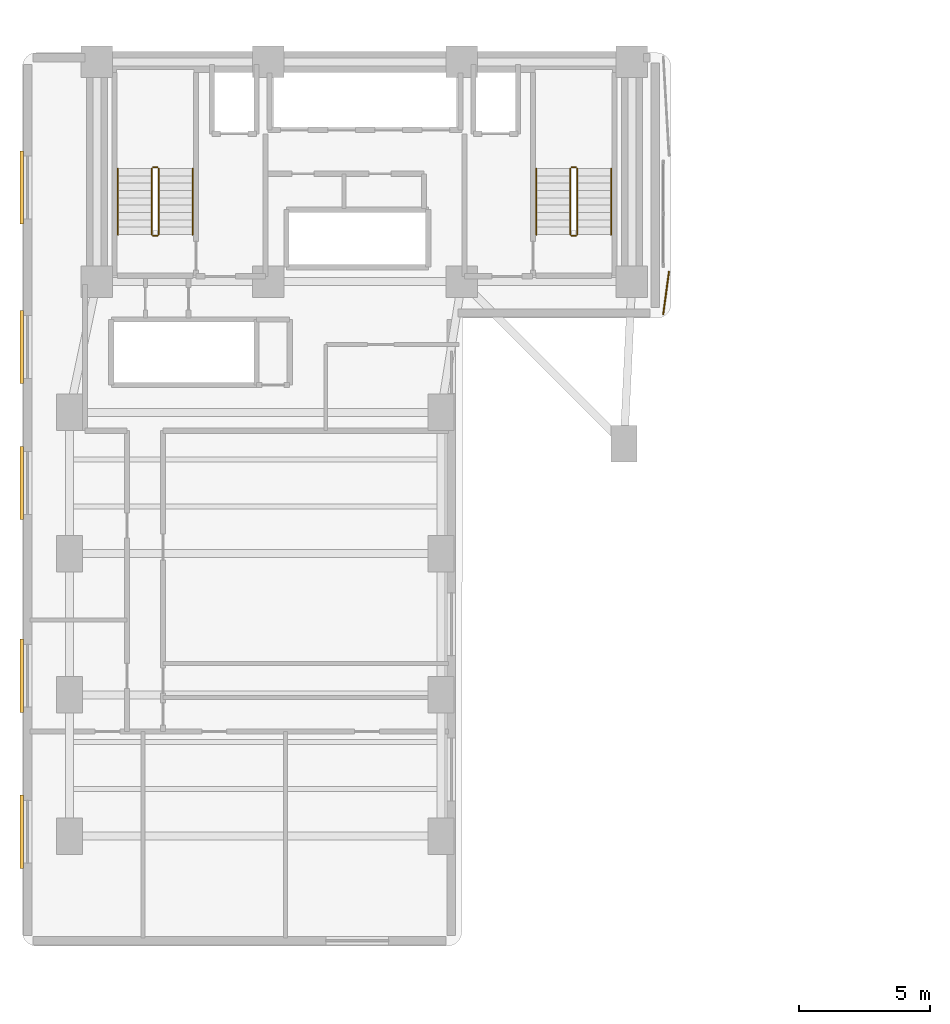
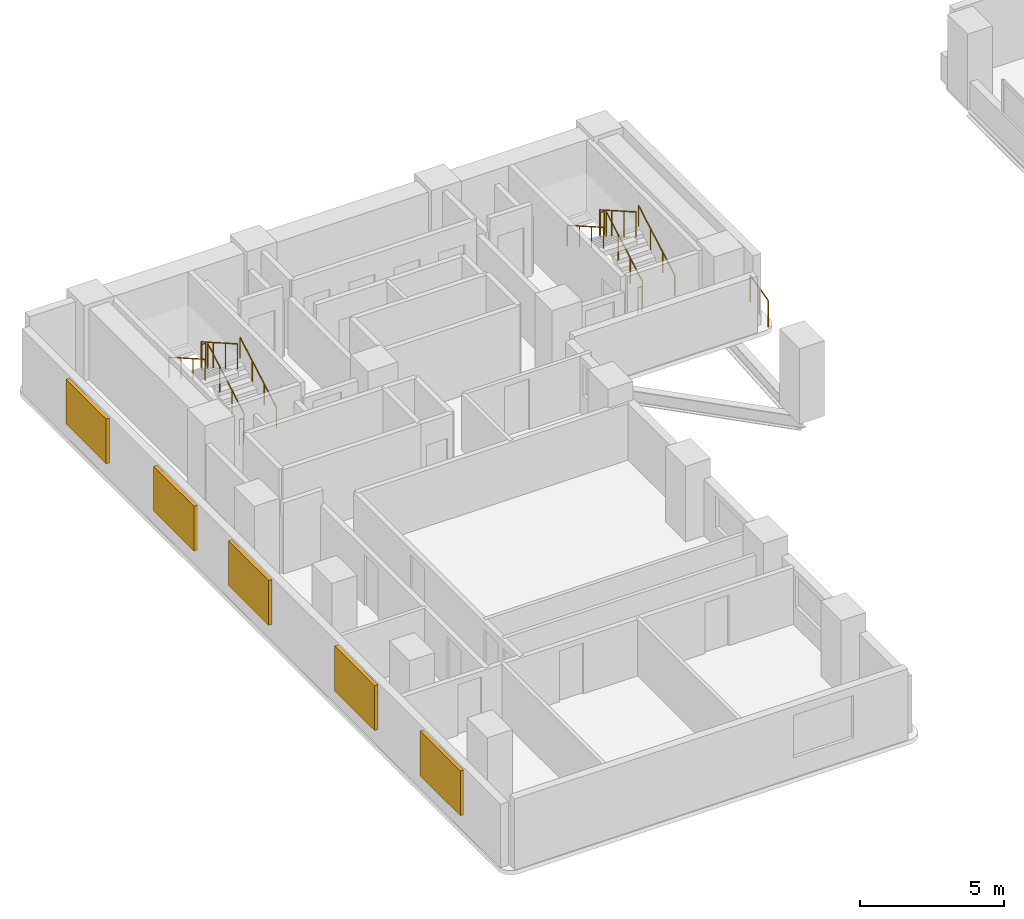
# One storey, part 12 of 14: 13 railings, 5 shading devices.
"""IFC4 building model written with IfcOpenShell, lengths in metres."""

from ifc_helpers import new_model, si_unit, direction, frame, origin, origin_2d, place, context, subcontext, project, spatial, rectangle, circle, extrude, material, layer, layer_set, type_object, element, save


model = new_model("IFC4")

# Units and contexts
model_context = context("Model", 3, precision=1e-05, world=origin(), true_north=direction((0.0, 1.0)))
body_context = subcontext(model_context, "Body", "Model", "MODEL_VIEW")
ifc_project = project(units=[si_unit("LENGTHUNIT", "METRE"), si_unit("AREAUNIT", "SQUARE_METRE"), si_unit("VOLUMEUNIT", "CUBIC_METRE"), si_unit("PLANEANGLEUNIT", "RADIAN"), si_unit("MASSUNIT", "GRAM", prefix="KILO")], contexts=[model_context])

# Site, building, storey
site_placement = place(None, origin())
site = spatial("IfcSite", under=ifc_project, at=site_placement, CompositionType="ELEMENT")
building_placement = place(site_placement, origin())
building = spatial("IfcBuilding", under=site, at=building_placement, Name="Kuzgunbayir Cultural Tower", CompositionType="ELEMENT")
storey_placement = place(building_placement, frame((0.0, 0.0, 33.39990234375)))
storey = spatial("IfcBuildingStorey", under=building, at=storey_placement, Name="L08", CompositionType="ELEMENT", Elevation=33.39990234375)

# Railings
ifc_material_1 = material(Name="Laminated Glass and Stainless Steel", Category="steel")
ifc_layer_1 = layer(ifc_material_1, 0.080078125)
ifc_layer_set_1 = layer_set([ifc_layer_1], Name="Laminated Glass and Stainless Steel")
railing_type_1 = type_object("IfcRailingType", Name="RLG-BAL-115", PredefinedType="BALUSTRADE", material=ifc_layer_set_1)
railing_1_placement = place(storey_placement, frame((28.320068359375, 34.179931640625, 0.0)))
element("IfcRailing", 1, at=railing_1_placement, inside=storey, type_object=railing_type_1, Name="L08 Perimeter Edge Guard 2", PredefinedType="BALUSTRADE", context=body_context, shape_type="SweptSolid", body=[
    extrude(circle(Radius=0.02392578125, at=origin_2d()), frame((0.0, 0.0, 1.1259765625), z_axis=(-0.133748471405, -0.991015310879, 0.0), x_axis=(0.991015310879, -0.133748471405, 0.0)), (0.0, 0.0, 1.0), 1.644775390625),
    extrude(circle(Radius=0.02099609375, at=origin_2d()), origin(), (0.0, 0.0, 1.0), 1.101806640625),
    extrude(circle(Radius=0.02099609375, at=origin_2d()), frame((-0.10986328125, -0.81494140625, 0.0)), (0.0, 0.0, 1.0), 1.101806640625),
    extrude(circle(Radius=0.02099609375, at=origin_2d()), frame((-0.219970703125, -1.6298828125, 0.0)), (0.0, 0.0, 1.0), 1.101806640625),
])
ifc_material_2 = material(Name="Brushed Stainless Steel", Category="steel")
ifc_layer_2 = layer(ifc_material_2, 0.050048828125)
ifc_layer_set_2 = layer_set([ifc_layer_2], Name="Brushed Stainless Steel")
railing_type_2 = type_object("IfcRailingType", Name="RLG-STAIR-HANDRAIL", PredefinedType="HANDRAIL", material=ifc_layer_set_2)
railing_2_placement = place(storey_placement, frame((10.110107421875, 35.60009765625, 0.16015625)))
element("IfcRailing", 2, at=railing_2_placement, inside=storey, type_object=railing_type_2, Name="L08 ST-1 stair handrail 1", PredefinedType="HANDRAIL", context=body_context, shape_type="SweptSolid", body=[
    extrude(circle(Radius=0.02392578125, at=origin_2d()), frame((0.0, 0.0, 0.8759765625), z_axis=(0.0, 0.868253494771, 0.496120820787), x_axis=(-1.0, 0.0, 0.0)), (0.0, 0.0, 1.0), 2.90234375),
    extrude(circle(Radius=0.02099609375, at=origin_2d()), origin(), (0.0, 0.0, 1.0), 0.851806640625),
    extrude(circle(Radius=0.02099609375, at=origin_2d()), frame((0.0, 0.840087890625, 0.47998046875)), (0.0, 0.0, 1.0), 0.851806640625),
    extrude(circle(Radius=0.02099609375, at=origin_2d()), frame((0.0, 1.679931640625, 0.9599609375)), (0.0, 0.0, 1.0), 0.851806640625),
    extrude(circle(Radius=0.02099609375, at=origin_2d()), frame((0.0, 2.52001953125, 1.43994140625)), (0.0, 0.0, 1.0), 0.851806640625),
])
railing_3_placement = place(storey_placement, frame((7.25, 38.1201171875, 1.760009765625)))
element("IfcRailing", 3, at=railing_3_placement, inside=storey, type_object=railing_type_2, Name="L08 ST-1 stair handrail 2", PredefinedType="HANDRAIL", context=body_context, shape_type="SweptSolid", body=[
    extrude(circle(Radius=0.02392578125, at=origin_2d()), frame((0.0, 0.0, 0.8759765625), z_axis=(0.0, -0.868217259934, 0.496184229447), x_axis=(1.0, 0.0, 0.0)), (0.0, 0.0, 1.0), 2.902587890625),
    extrude(circle(Radius=0.02099609375, at=origin_2d()), origin(), (0.0, 0.0, 1.0), 0.851806640625),
    extrude(circle(Radius=0.02099609375, at=origin_2d()), frame((0.0, -0.840087890625, 0.47998046875)), (0.0, 0.0, 1.0), 0.851806640625),
    extrude(circle(Radius=0.02099609375, at=origin_2d()), frame((0.0, -1.679931640625, 0.960205078125)), (0.0, 0.0, 1.0), 0.851806640625),
    extrude(circle(Radius=0.02099609375, at=origin_2d()), frame((0.0, -2.52001953125, 1.440185546875)), (0.0, 0.0, 1.0), 0.851806640625),
])
railing_4_placement = place(storey_placement, frame((26.110107421875, 35.60009765625, 0.16015625)))
element("IfcRailing", 4, at=railing_4_placement, inside=storey, type_object=railing_type_2, Name="L08 ST-2 stair handrail 1", PredefinedType="HANDRAIL", context=body_context, shape_type="SweptSolid", body=[
    extrude(circle(Radius=0.02392578125, at=origin_2d()), frame((0.0, 0.0, 0.8759765625), z_axis=(0.0, 0.868253494771, 0.496120820787), x_axis=(-1.0, 0.0, 0.0)), (0.0, 0.0, 1.0), 2.90234375),
    extrude(circle(Radius=0.02099609375, at=origin_2d()), origin(), (0.0, 0.0, 1.0), 0.851806640625),
    extrude(circle(Radius=0.02099609375, at=origin_2d()), frame((0.0, 0.840087890625, 0.47998046875)), (0.0, 0.0, 1.0), 0.851806640625),
    extrude(circle(Radius=0.02099609375, at=origin_2d()), frame((0.0, 1.679931640625, 0.9599609375)), (0.0, 0.0, 1.0), 0.851806640625),
    extrude(circle(Radius=0.02099609375, at=origin_2d()), frame((0.0, 2.52001953125, 1.43994140625)), (0.0, 0.0, 1.0), 0.851806640625),
])
railing_5_placement = place(storey_placement, frame((23.25, 38.1201171875, 1.760009765625)))
element("IfcRailing", 5, at=railing_5_placement, inside=storey, type_object=railing_type_2, Name="L08 ST-2 stair handrail 2", PredefinedType="HANDRAIL", context=body_context, shape_type="SweptSolid", body=[
    extrude(circle(Radius=0.02392578125, at=origin_2d()), frame((0.0, 0.0, 0.8759765625), z_axis=(0.0, -0.868217259934, 0.496184229447), x_axis=(1.0, 0.0, 0.0)), (0.0, 0.0, 1.0), 2.902587890625),
    extrude(circle(Radius=0.02099609375, at=origin_2d()), origin(), (0.0, 0.0, 1.0), 0.851806640625),
    extrude(circle(Radius=0.02099609375, at=origin_2d()), frame((0.0, -0.840087890625, 0.47998046875)), (0.0, 0.0, 1.0), 0.851806640625),
    extrude(circle(Radius=0.02099609375, at=origin_2d()), frame((0.0, -1.679931640625, 0.960205078125)), (0.0, 0.0, 1.0), 0.851806640625),
    extrude(circle(Radius=0.02099609375, at=origin_2d()), frame((0.0, -2.52001953125, 1.440185546875)), (0.0, 0.0, 1.0), 0.851806640625),
])
ifc_material_3 = material(Name="Painted Steel Balustrade", Category="steel")
ifc_layer_3 = layer(ifc_material_3, 0.06005859375)
ifc_layer_set_3 = layer_set([ifc_layer_3], Name="Painted Steel Balustrade")
railing_type_3 = type_object("IfcRailingType", Name="RLG-WELL-GUARD", PredefinedType="GUARDRAIL", material=ifc_layer_set_3)
railing_6_placement = place(storey_placement, frame((8.81005859375, 35.60009765625, 0.16015625)))
element("IfcRailing", 6, at=railing_6_placement, inside=storey, type_object=railing_type_3, Name="L08 ST-1 stair guard 1", PredefinedType="GUARDRAIL", context=body_context, shape_type="SweptSolid", body=[
    extrude(circle(Radius=0.02392578125, at=origin_2d()), frame((0.0, 0.0, 1.076171875), z_axis=(0.0, 0.868253494771, 0.496120820787), x_axis=(-1.0, 0.0, 0.0)), (0.0, 0.0, 1.0), 2.90234375),
    extrude(circle(Radius=0.02099609375, at=origin_2d()), origin(), (0.0, 0.0, 1.0), 1.052001953125),
    extrude(circle(Radius=0.02099609375, at=origin_2d()), frame((0.0, 0.840087890625, 0.47998046875)), (0.0, 0.0, 1.0), 1.052001953125),
    extrude(circle(Radius=0.02099609375, at=origin_2d()), frame((0.0, 1.679931640625, 0.9599609375)), (0.0, 0.0, 1.0), 1.052001953125),
    extrude(circle(Radius=0.02099609375, at=origin_2d()), frame((0.0, 2.52001953125, 1.43994140625)), (0.0, 0.0, 1.0), 1.052001953125),
])
railing_7_placement = place(storey_placement, frame((8.760009765625, 38.169921875, 1.60009765625)))
element("IfcRailing", 7, at=railing_7_placement, inside=storey, type_object=railing_type_3, Name="L08 ST-1 stair guard 2", PredefinedType="GUARDRAIL", context=body_context, shape_type="SweptSolid", body=[
    extrude(circle(Radius=0.02392578125, at=origin_2d()), frame((0.0, 0.0, 1.076171875), z_axis=(-1.0, 0.0, 0.0), x_axis=(0.0, -1.0, 0.0)), (0.0, 0.0, 1.0), 0.159912109375),
    extrude(circle(Radius=0.02099609375, at=origin_2d()), origin(), (0.0, 0.0, 1.0), 1.052001953125),
    extrude(circle(Radius=0.02099609375, at=origin_2d()), frame((-0.159912109375, 0.0, 0.0)), (0.0, 0.0, 1.0), 1.052001953125),
])
railing_8_placement = place(storey_placement, frame((8.550048828125, 38.1201171875, 1.760009765625)))
element("IfcRailing", 8, at=railing_8_placement, inside=storey, type_object=railing_type_3, Name="L08 ST-1 stair guard 3", PredefinedType="GUARDRAIL", context=body_context, shape_type="SweptSolid", body=[
    extrude(circle(Radius=0.02392578125, at=origin_2d()), frame((0.0, 0.0, 1.076171875), z_axis=(0.0, -0.868217259934, 0.496184229447), x_axis=(1.0, 0.0, 0.0)), (0.0, 0.0, 1.0), 2.902587890625),
    extrude(circle(Radius=0.02099609375, at=origin_2d()), origin(), (0.0, 0.0, 1.0), 1.052001953125),
    extrude(circle(Radius=0.02099609375, at=origin_2d()), frame((0.0, -0.840087890625, 0.47998046875)), (0.0, 0.0, 1.0), 1.052001953125),
    extrude(circle(Radius=0.02099609375, at=origin_2d()), frame((0.0, -1.679931640625, 0.960205078125)), (0.0, 0.0, 1.0), 1.052001953125),
    extrude(circle(Radius=0.02099609375, at=origin_2d()), frame((0.0, -2.52001953125, 1.440185546875)), (0.0, 0.0, 1.0), 1.052001953125),
])
railing_9_placement = place(storey_placement, frame((8.760009765625, 35.550048828125, 0.0)))
element("IfcRailing", 9, at=railing_9_placement, inside=storey, type_object=railing_type_3, Name="L08 ST-1 stair guard 4", PredefinedType="GUARDRAIL", context=body_context, shape_type="SweptSolid", body=[
    extrude(circle(Radius=0.02392578125, at=origin_2d()), frame((0.0, 0.0, 1.076171875), z_axis=(-1.0, 0.0, 0.0), x_axis=(0.0, -1.0, 0.0)), (0.0, 0.0, 1.0), 0.159912109375),
    extrude(circle(Radius=0.02099609375, at=origin_2d()), origin(), (0.0, 0.0, 1.0), 1.052001953125),
    extrude(circle(Radius=0.02099609375, at=origin_2d()), frame((-0.159912109375, 0.0, 0.0)), (0.0, 0.0, 1.0), 1.052001953125),
])
railing_10_placement = place(storey_placement, frame((24.81005859375, 35.60009765625, 0.16015625)))
element("IfcRailing", 10, at=railing_10_placement, inside=storey, type_object=railing_type_3, Name="L08 ST-2 stair guard 1", PredefinedType="GUARDRAIL", context=body_context, shape_type="SweptSolid", body=[
    extrude(circle(Radius=0.02392578125, at=origin_2d()), frame((0.0, 0.0, 1.076171875), z_axis=(0.0, 0.868253494771, 0.496120820787), x_axis=(-1.0, 0.0, 0.0)), (0.0, 0.0, 1.0), 2.90234375),
    extrude(circle(Radius=0.02099609375, at=origin_2d()), origin(), (0.0, 0.0, 1.0), 1.052001953125),
    extrude(circle(Radius=0.02099609375, at=origin_2d()), frame((0.0, 0.840087890625, 0.47998046875)), (0.0, 0.0, 1.0), 1.052001953125),
    extrude(circle(Radius=0.02099609375, at=origin_2d()), frame((0.0, 1.679931640625, 0.9599609375)), (0.0, 0.0, 1.0), 1.052001953125),
    extrude(circle(Radius=0.02099609375, at=origin_2d()), frame((0.0, 2.52001953125, 1.43994140625)), (0.0, 0.0, 1.0), 1.052001953125),
])
railing_11_placement = place(storey_placement, frame((24.760009765625, 38.169921875, 1.60009765625)))
element("IfcRailing", 11, at=railing_11_placement, inside=storey, type_object=railing_type_3, Name="L08 ST-2 stair guard 2", PredefinedType="GUARDRAIL", context=body_context, shape_type="SweptSolid", body=[
    extrude(circle(Radius=0.02392578125, at=origin_2d()), frame((0.0, 0.0, 1.076171875), z_axis=(-1.0, 0.0, 0.0), x_axis=(0.0, -1.0, 0.0)), (0.0, 0.0, 1.0), 0.159912109375),
    extrude(circle(Radius=0.02099609375, at=origin_2d()), origin(), (0.0, 0.0, 1.0), 1.052001953125),
    extrude(circle(Radius=0.02099609375, at=origin_2d()), frame((-0.159912109375, 0.0, 0.0)), (0.0, 0.0, 1.0), 1.052001953125),
])
railing_12_placement = place(storey_placement, frame((24.550048828125, 38.1201171875, 1.760009765625)))
element("IfcRailing", 12, at=railing_12_placement, inside=storey, type_object=railing_type_3, Name="L08 ST-2 stair guard 3", PredefinedType="GUARDRAIL", context=body_context, shape_type="SweptSolid", body=[
    extrude(circle(Radius=0.02392578125, at=origin_2d()), frame((0.0, 0.0, 1.076171875), z_axis=(0.0, -0.868217259934, 0.496184229447), x_axis=(1.0, 0.0, 0.0)), (0.0, 0.0, 1.0), 2.902587890625),
    extrude(circle(Radius=0.02099609375, at=origin_2d()), origin(), (0.0, 0.0, 1.0), 1.052001953125),
    extrude(circle(Radius=0.02099609375, at=origin_2d()), frame((0.0, -0.840087890625, 0.47998046875)), (0.0, 0.0, 1.0), 1.052001953125),
    extrude(circle(Radius=0.02099609375, at=origin_2d()), frame((0.0, -1.679931640625, 0.960205078125)), (0.0, 0.0, 1.0), 1.052001953125),
    extrude(circle(Radius=0.02099609375, at=origin_2d()), frame((0.0, -2.52001953125, 1.440185546875)), (0.0, 0.0, 1.0), 1.052001953125),
])
railing_13_placement = place(storey_placement, frame((24.760009765625, 35.550048828125, 0.0)))
element("IfcRailing", 13, at=railing_13_placement, inside=storey, type_object=railing_type_3, Name="L08 ST-2 stair guard 4", PredefinedType="GUARDRAIL", context=body_context, shape_type="SweptSolid", body=[
    extrude(circle(Radius=0.02392578125, at=origin_2d()), frame((0.0, 0.0, 1.076171875), z_axis=(-1.0, 0.0, 0.0), x_axis=(0.0, -1.0, 0.0)), (0.0, 0.0, 1.0), 0.159912109375),
    extrude(circle(Radius=0.02099609375, at=origin_2d()), origin(), (0.0, 0.0, 1.0), 1.052001953125),
    extrude(circle(Radius=0.02099609375, at=origin_2d()), frame((-0.159912109375, 0.0, 0.0)), (0.0, 0.0, 1.0), 1.052001953125),
])

# Shading devices
ifc_material_4 = material(Name="Perforated Bronze-Anodised Aluminium", Category="aluminium")
shading_device_type = type_object("IfcShadingDeviceType", Name="SHD-SOLAR-BRONZE", PredefinedType="JALOUSIE", material=ifc_material_4)
for number, where, z_axis, x_axis, name in (
    (14, (3.580078125, 18.72998046875, 0.7001953125), (0.0, 0.0, 1.0), (1.0, 0.0, 0.0), "L08 Perforated Bronze Solar Screen WAW2"),
    (15, (3.580078125, 12.77001953125, 0.7001953125), (0.0, 0.0, 1.0), (1.0, 0.0, 0.0), "L08 Perforated Bronze Solar Screen WAW3"),
    (16, (3.580078125, 26.10009765625, 0.7001953125), (0.0, 0.0, 1.0), (1.0, 0.0, 0.0), "L08 Perforated Bronze Solar Screen WAW4"),
    (17, (3.580078125, 31.300048828125, 0.7001953125), (0.0, 0.0, 1.0), (1.0, 0.0, 0.0), "L08 Perforated Bronze Solar Screen WAW5"),
    (18, (3.580078125, 37.39990234375, 0.7001953125), (0.0, 0.0, 1.0), (1.0, 0.0, 0.0), "L08 Perforated Bronze Solar Screen WAW6"),
):
    element("IfcShadingDevice", number, at=place(storey_placement, frame(where, z_axis=z_axis, x_axis=x_axis)), inside=storey, type_object=shading_device_type, Name=name, PredefinedType="JALOUSIE", context=body_context, shape_type="SweptSolid", body=[
        extrude(rectangle(XDim=0.139892578125, YDim=2.800048828125, at=origin_2d()), origin(), (0.0, 0.0, 1.0), 1.89990234375),
    ])

save(model, "model.ifc")
